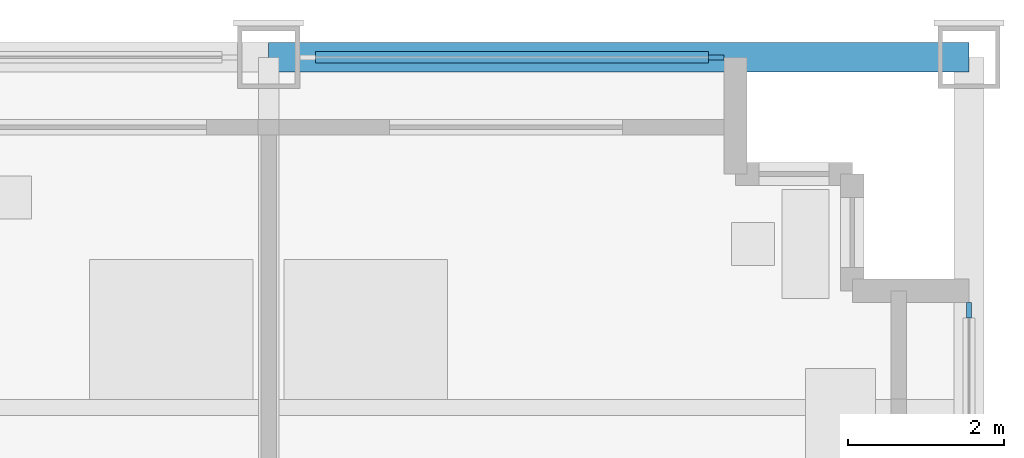
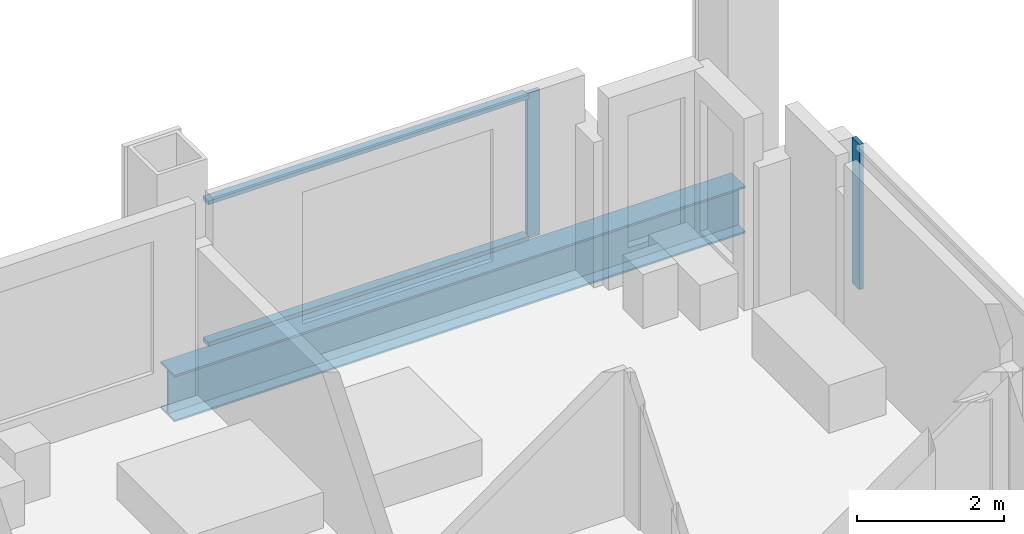
# One storey, part 7 of 17: 4 members, 1 beam, 2 elements without a shape of their own.
"""IFC4 building model written with IfcOpenShell, lengths in metres."""

import ifcopenshell
import ifcopenshell.guid

model = None  # the IFC model being written
_history = None  # IfcOwnerHistory: only IFC2X3 demands one
_inside = {}  # id of a spatial element -> (the spatial element, [elements in it])
_under = {}  # id of a project, library or spatial element -> (it, [spatial elements below it])
_declared = {}  # id of a project -> (the project, [libraries it declares])
_typed = {}  # id of a type object -> (the type object, [elements of that type])
_made_of = {}  # id of a material, layer set ... -> (it, [elements and type objects made of it])


def new_model(schema):
    """Start an empty IFC model of exactly this schema.

    Asked for "IFC4X3", IfcOpenShell would pick the latest addendum, in which some entities
    have other attributes; the version numbers below select the first issue.
    IFC2X3 requires an IfcOwnerHistory on every rooted entity: one is made here for all.
    """
    global model, _history
    if schema == "IFC4X3":
        model = ifcopenshell.file(schema_version=(4, 3, 0, 0))
    else:
        model = ifcopenshell.file(schema=schema)
    _inside.clear()
    _under.clear()
    _declared.clear()
    _typed.clear()
    _made_of.clear()
    _history = None
    if model.schema == "IFC2X3":
        org = make("IfcOrganization", Name="unknown")
        user = make(
            "IfcPersonAndOrganization",
            ThePerson=make("IfcPerson", FamilyName="unknown"),
            TheOrganization=org,
        )
        app = make(
            "IfcApplication",
            ApplicationDeveloper=org,
            Version="unknown",
            ApplicationFullName="unknown",
            ApplicationIdentifier="unknown",
        )
        _history = make(
            "IfcOwnerHistory",
            OwningUser=user,
            OwningApplication=app,
            ChangeAction="ADDED",
            CreationDate=0,
        )
    return model


def make(cls, **values):
    """One entity of the class cls with the attributes given. An attribute that is None is left unset."""
    return model.create_entity(
        cls, **{name: value for name, value in values.items() if value is not None}
    )


def rooted(cls, **values):
    """An entity with a GlobalId (a new one), such as an element, a storey or a relation."""
    return make(cls, GlobalId=ifcopenshell.guid.new(), OwnerHistory=_history, **values)


def si_unit(unit_type, name, prefix=None):
    """IfcSIUnit, for example si_unit("LENGTHUNIT", "METRE", prefix="MILLI")."""
    return make("IfcSIUnit", UnitType=unit_type, Prefix=prefix, Name=name)


def assignment(units):
    """IfcUnitAssignment: the units of a project."""
    return None if units is None else make("IfcUnitAssignment", Units=units)


def point(xyz):
    """IfcCartesianPoint."""
    return None if xyz is None else make("IfcCartesianPoint", Coordinates=xyz)


def direction(xyz):
    """IfcDirection."""
    return None if xyz is None else make("IfcDirection", DirectionRatios=xyz)


def frame(location, z_axis=None, x_axis=None):
    """IfcAxis2Placement3D, a coordinate frame: its origin and axes. An axis left out is left unset."""
    return make(
        "IfcAxis2Placement3D",
        Location=point(location),
        Axis=direction(z_axis),
        RefDirection=direction(x_axis),
    )


def frame_2d(location, x_axis=None):
    """IfcAxis2Placement2D, a coordinate frame in the plane: its origin and x axis."""
    return make(
        "IfcAxis2Placement2D", Location=point(location), RefDirection=direction(x_axis)
    )


def origin():
    """The frame at (0, 0, 0) with its axes left unset."""
    return frame((0.0, 0.0, 0.0))


def origin_2d():
    """The frame at (0, 0) in the plane with its x axis left unset."""
    return frame_2d((0.0, 0.0))


def place(relative_to, where):
    """IfcLocalPlacement: puts the frame where relative to a parent placement (None: the world)."""
    return make(
        "IfcLocalPlacement", PlacementRelTo=relative_to, RelativePlacement=where
    )


def context(
    kind, dimensions, precision=None, world=None, true_north=None, identifier=None
):
    """IfcGeometricRepresentationContext, for example the 3D "Model" context."""
    return make(
        "IfcGeometricRepresentationContext",
        ContextIdentifier=identifier,
        ContextType=kind,
        CoordinateSpaceDimension=dimensions,
        Precision=precision,
        WorldCoordinateSystem=world,
        TrueNorth=true_north,
    )


def subcontext(parent, identifier, kind, view, scale=None):
    """IfcGeometricRepresentationSubContext, for example "Body" below "Model"."""
    return make(
        "IfcGeometricRepresentationSubContext",
        ContextIdentifier=identifier,
        ContextType=kind,
        ParentContext=parent,
        TargetScale=scale,
        TargetView=view,
    )


def project(units=None, contexts=None):
    """IfcProject with its units and contexts."""
    return rooted(
        "IfcProject",
        Name="project",
        RepresentationContexts=contexts,
        UnitsInContext=assignment(units),
    )


def spatial(cls, under=None, at=None, **own):
    """A site, building, storey or space (cls), placed at a placement, below another one or the project."""
    s = rooted(cls, ObjectPlacement=at, **own)
    if under is not None:
        _under.setdefault(under.id(), (under, []))[1].append(s)
    return s


def profile(cls, at=None, kind="AREA", **sizes):
    """A parametric profile (cls). Its sizes go by their IFC names, for example OverallWidth=200.0."""
    return make(cls, ProfileType=kind, Position=at, **sizes)


def rectangle(**sizes):
    """IfcRectangleProfileDef."""
    return profile("IfcRectangleProfileDef", **sizes)


def i_section(**sizes):
    """IfcIShapeProfileDef."""
    return profile("IfcIShapeProfileDef", **sizes)


def extrude(swept, where, along, depth):
    """IfcExtrudedAreaSolid: the profile swept, set in the frame where, extruded along a direction by depth."""
    return make(
        "IfcExtrudedAreaSolid",
        SweptArea=swept,
        Position=where,
        ExtrudedDirection=direction(along),
        Depth=depth,
    )


def shape(context_of_items, identifier, shape_type, items):
    """IfcShapeRepresentation: the items that make up one representation, for example the "Body"."""
    return make(
        "IfcShapeRepresentation",
        ContextOfItems=context_of_items,
        RepresentationIdentifier=identifier,
        RepresentationType=shape_type,
        Items=items,
    )


def material(Name=None, Category=None):
    """IfcMaterial."""
    return make("IfcMaterial", Name=Name, Category=Category)


def material_profile(
    of_material, cross_section, Name=None, Category=None, Priority=None
):
    """IfcMaterialProfile: a cross section and its material."""
    return make(
        "IfcMaterialProfile",
        Name=Name,
        Material=of_material,
        Profile=cross_section,
        Priority=Priority,
        Category=Category,
    )


def profile_set(profiles, Name=None, composite=None):
    """IfcMaterialProfileSet."""
    return make(
        "IfcMaterialProfileSet",
        Name=Name,
        MaterialProfiles=profiles,
        CompositeProfile=composite,
    )


def made_of(thing, what):
    """Note that an element or type object is made of a material, layer set ...; save() writes the relation."""
    if what is not None:
        _made_of.setdefault(what.id(), (what, []))[1].append(thing)
    return thing


def type_object(cls, material=None, **own):
    """A type object (cls), such as IfcWallType, which elements share."""
    return made_of(rooted(cls, **own), material)


def element(
    cls,
    number,
    at=None,
    inside=None,
    cuts=None,
    type_object=None,
    material=None,
    context=None,
    identifier="Body",
    shape_type=None,
    held_by="IfcProductDefinitionShape",
    body=None,
    shapes=None,
    **own,
):
    """One element of the class cls, such as IfcWall. Its Tag is "e" and its number.

    at: its placement. inside: the storey or other place that contains it. cuts: it is an
    opening in that element (IfcRelVoidsElement). A single representation is given by context,
    identifier, shape_type and body (its items); several are given by shapes. held_by: the class
    of the entity that holds the representations. save() writes the other relations.
    """
    e = rooted(cls, Tag="e%d" % number, ObjectPlacement=at, **own)
    if body is not None:
        shapes = [shape(context, identifier, shape_type, body)]
    if shapes is not None:
        e.Representation = make(held_by, Representations=shapes)
    if inside is not None:
        _inside.setdefault(inside.id(), (inside, []))[1].append(e)
    if cuts is not None:
        rooted(
            "IfcRelVoidsElement", RelatingBuildingElement=cuts, RelatedOpeningElement=e
        )
    if type_object is not None:
        _typed.setdefault(type_object.id(), (type_object, []))[1].append(e)
    return made_of(e, material)


def aggregate(whole, parts):
    """IfcRelAggregates: a whole, such as a stair, and the parts it consists of."""
    return rooted("IfcRelAggregates", RelatingObject=whole, RelatedObjects=parts)


def save(model, path):
    """Write the relations noted so far, then the file.

    IfcRelAggregates (storeys below a building ...), IfcRelContainedInSpatialStructure (elements
    in a storey), IfcRelDefinesByType, IfcRelAssociatesMaterial and IfcRelDeclares: one each for
    every whole, place, type object, material and project.
    """
    for whole, parts in _under.values():
        aggregate(whole, parts)
    for where, things in _inside.values():
        rooted(
            "IfcRelContainedInSpatialStructure",
            RelatedElements=things,
            RelatingStructure=where,
        )
    for kind, things in _typed.values():
        rooted("IfcRelDefinesByType", RelatedObjects=things, RelatingType=kind)
    for what, things in _made_of.values():
        rooted("IfcRelAssociatesMaterial", RelatedObjects=things, RelatingMaterial=what)
    for by, libraries in _declared.values():
        rooted("IfcRelDeclares", RelatingContext=by, RelatedDefinitions=libraries)
    model.write(path)


model = new_model("IFC4")

# Units and contexts
model_context = context("Model", 3, precision=1e-05, world=origin(), true_north=direction((0.0, 1.0)))
body_context = subcontext(model_context, "Body", "Model", "MODEL_VIEW")
ifc_project = project(units=[si_unit("LENGTHUNIT", "METRE"), si_unit("AREAUNIT", "SQUARE_METRE"), si_unit("VOLUMEUNIT", "CUBIC_METRE"), si_unit("PLANEANGLEUNIT", "RADIAN"), si_unit("MASSUNIT", "GRAM", prefix="KILO")], contexts=[model_context])

# Site, building, storey
site_placement = place(None, origin())
site = spatial("IfcSite", under=ifc_project, at=site_placement, CompositionType="ELEMENT")
building_placement = place(site_placement, origin())
building = spatial("IfcBuilding", under=site, at=building_placement, Name="Loomwork Tower", CompositionType="ELEMENT")
storey_placement = place(building_placement, frame((0.0, 0.0, 138.39990234375)))
storey = spatial("IfcBuildingStorey", under=building, at=storey_placement, Name="L37", CompositionType="ELEMENT", Elevation=138.39990234375)

# Curtain wall, member
ifc_material_1 = material(Name="Aluminium curtain wall frame", Category="aluminium")
curtain_wall_type = type_object("IfcCurtainWallType", Name="Outer skin glazing hotel", PredefinedType="NOTDEFINED", material=ifc_material_1)
curtain_wall_1_placement = place(storey_placement, origin())
curtain_wall_1 = element("IfcCurtainWall", 1, at=curtain_wall_1_placement, inside=storey, type_object=curtain_wall_type, Name="Outer skin glazing hotel cw/N-36", PredefinedType="NOTDEFINED")
ifc_material_2 = material(Name="Aluminium curtain wall frame", Category="aluminium")
ifc_material_profile_1 = material_profile(ifc_material_2, rectangle(XDim=0.06494140625, YDim=0.199951171875, at=origin_2d()), Name="AL 65x200")
ifc_profile_set_1 = profile_set([ifc_material_profile_1], Name="Aluminium curtain wall frame")
member_type_1 = type_object("IfcMemberType", Name="Outer skin glazing hotel mullion", PredefinedType="MULLION", material=ifc_profile_set_1)
member_1_placement = place(storey_placement, frame((41.75, 36.0, 0.0), z_axis=(0.0, 0.0, 1.0), x_axis=(0.0, -1.0, 0.0)))
member_1 = element("IfcMember", 2, at=member_1_placement, type_object=member_type_1, Name="CW1 mullion 1", PredefinedType="MULLION", context=body_context, shape_type="SweptSolid", body=[
    extrude(rectangle(XDim=0.06494140625, YDim=0.199951171875, at=origin_2d()), origin(), (0.0, 0.0, 1.0), 2.42041015625),
])

curtain_wall_2_placement = place(storey_placement, origin())
curtain_wall_2 = element("IfcCurtainWall", 3, at=curtain_wall_2_placement, inside=storey, type_object=curtain_wall_type, Name="Outer skin glazing hotel cw/E-27", PredefinedType="NOTDEFINED")
member_2_placement = place(storey_placement, frame((45.0, 32.75, 0.0), z_axis=(0.0, 0.0, 1.0), x_axis=(-1.0, 0.0, 0.0)))
member_2 = element("IfcMember", 4, at=member_2_placement, type_object=member_type_1, Name="CW1 mullion 2", PredefinedType="MULLION", context=body_context, shape_type="SweptSolid", body=[
    extrude(rectangle(XDim=0.06494140625, YDim=0.199951171875, at=origin_2d()), origin(), (0.0, 0.0, 1.0), 2.42041015625),
])
aggregate(curtain_wall_2, [member_2])

# Member
ifc_material_3 = material(Name="Aluminium curtain wall frame", Category="aluminium")
ifc_material_profile_2 = material_profile(ifc_material_3, rectangle(XDim=0.14990234375, YDim=0.06494140625, at=origin_2d()), Name="AL 65x150")
ifc_profile_set_2 = profile_set([ifc_material_profile_2], Name="Aluminium curtain wall frame")
member_type_2 = type_object("IfcMemberType", Name="Outer skin glazing hotel transom", PredefinedType="USERDEFINED", material=ifc_profile_set_2)
member_3_placement = place(storey_placement, frame((41.64990234375, 36.0, 0.03271484375), z_axis=(-1.0, 0.0, 0.0), x_axis=(0.0, -1.0, 0.0)))
member_3 = element("IfcMember", 5, at=member_3_placement, type_object=member_type_2, Name="CW1 transom 1.1", ObjectType="TRANSOM", PredefinedType="USERDEFINED", context=body_context, shape_type="SweptSolid", body=[
    extrude(rectangle(XDim=0.14990234375, YDim=0.06494140625, at=origin_2d()), origin(), (0.0, 0.0, 1.0), 5.0498046875),
])

member_4_placement = place(storey_placement, frame((41.64990234375, 36.0, 2.3876953125), z_axis=(-1.0, 0.0, 0.0), x_axis=(0.0, -1.0, 0.0)))
member_4 = element("IfcMember", 6, at=member_4_placement, type_object=member_type_2, Name="CW1 transom 1.2", ObjectType="TRANSOM", PredefinedType="USERDEFINED", context=body_context, shape_type="SweptSolid", body=[
    extrude(rectangle(XDim=0.14990234375, YDim=0.06494140625, at=origin_2d()), origin(), (0.0, 0.0, 1.0), 5.0498046875),
])

aggregate(curtain_wall_1, [member_1, member_3, member_4])

# Beam
ifc_material_4 = material(Name="Steel ASTM A992", Category="steel")
ifc_material_profile_3 = material_profile(ifc_material_4, i_section(OverallWidth=0.381103515625, OverallDepth=0.77978515625, WebThickness=0.01806640625, FlangeThickness=0.0302734375, at=origin_2d()), Name="W30x191")
ifc_profile_set_3 = profile_set([ifc_material_profile_3], Name="Steel ASTM A992")
beam_type = type_object("IfcBeamType", Name="SPANDREL GIRDER W30x191", PredefinedType="SPANDREL", material=ifc_profile_set_3)
beam_placement = place(storey_placement, frame((36.0, 36.0, -0.58984375), z_axis=(1.0, 0.0, 0.0), x_axis=(0.0, 1.0, 0.0)))
element("IfcBeam", 7, at=beam_placement, inside=storey, type_object=beam_type, Name="Spandrel Girder H/6-H/7 L37", PredefinedType="SPANDREL", context=body_context, shape_type="SweptSolid", body=[
    extrude(i_section(OverallWidth=0.381103515625, OverallDepth=0.77978515625, WebThickness=0.01806640625, FlangeThickness=0.0302734375, at=origin_2d()), origin(), (0.0, 0.0, 1.0), 9.0),
])

save(model, "model.ifc")
